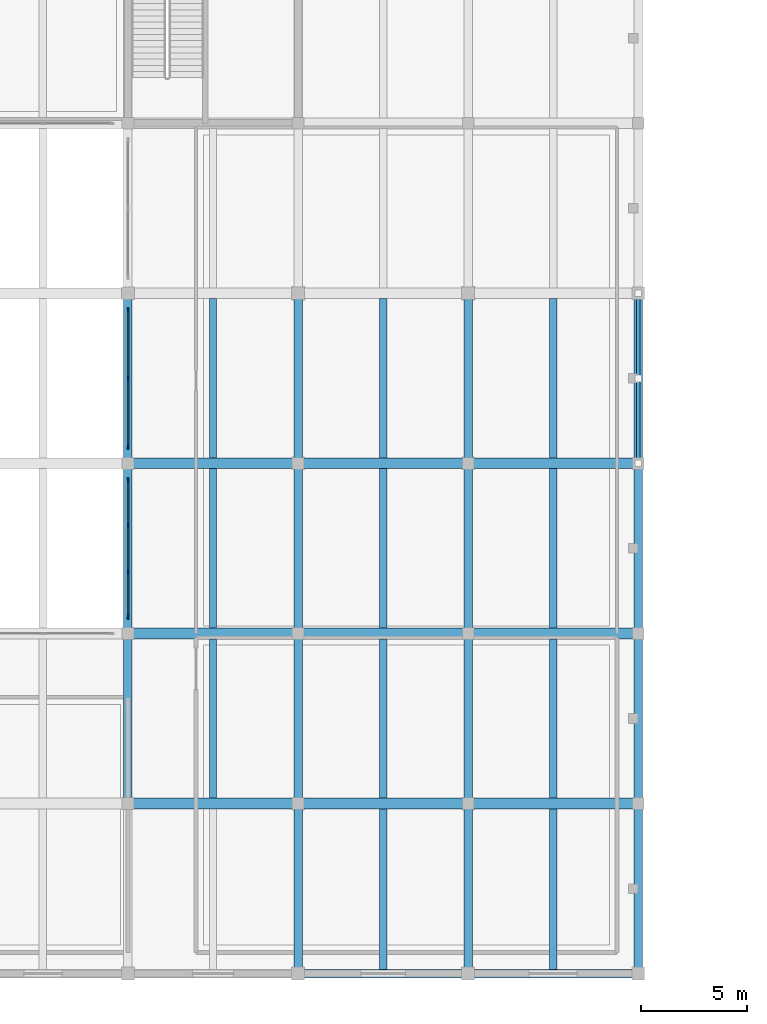
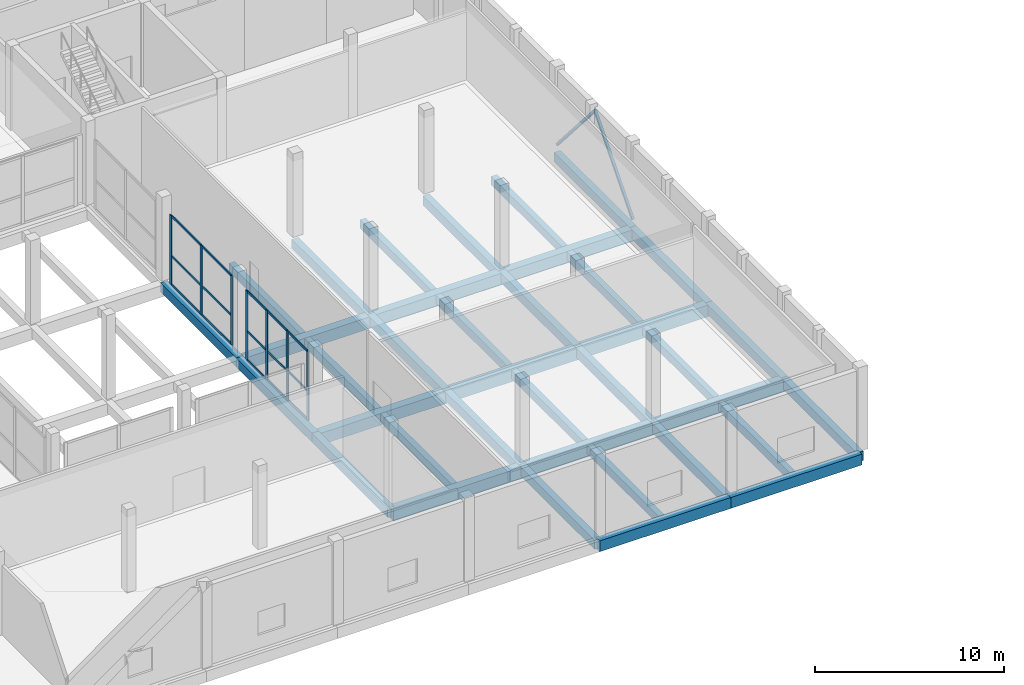
# One storey, part 5 of 41: 37 beams, 24 members, 2 elements without a shape of their own.
"""IFC4 building model written with IfcOpenShell, lengths in metres."""

from ifc_helpers import new_model, si_unit, direction, frame, origin, origin_2d, place, context, subcontext, project, spatial, rectangle, hollow_rectangle, extrude, material, material_profile, profile_set, type_object, element, aggregate, save


model = new_model("IFC4")

# Units and contexts
model_context = context("Model", 3, precision=1e-05, world=origin(), true_north=direction((0.0, 1.0)))
body_context = subcontext(model_context, "Body", "Model", "MODEL_VIEW")
ifc_project = project(units=[si_unit("LENGTHUNIT", "METRE"), si_unit("AREAUNIT", "SQUARE_METRE"), si_unit("VOLUMEUNIT", "CUBIC_METRE"), si_unit("PLANEANGLEUNIT", "RADIAN"), si_unit("MASSUNIT", "GRAM", prefix="KILO")], contexts=[model_context])

# Site, building, storey
site_placement = place(None, origin())
site = spatial("IfcSite", under=ifc_project, at=site_placement, CompositionType="ELEMENT")
building_placement = place(site_placement, origin())
building = spatial("IfcBuilding", under=site, at=building_placement, Name="Vharandega Faculty of Natural Sciences", CompositionType="ELEMENT")
storey_placement = place(building_placement, origin())
storey = spatial("IfcBuildingStorey", under=building, at=storey_placement, Name="L00", CompositionType="ELEMENT", Elevation=0.0)

# Curtain wall, members
ifc_material_1 = material(Name="Aluminium and solar-control glass curtain wall", Category="aluminium")
curtain_wall_type_1 = type_object("IfcCurtainWallType", Name="Unitised Curtain Wall System CW-05", PredefinedType="NOTDEFINED", material=ifc_material_1)
curtain_wall_1_placement = place(storey_placement, origin())
curtain_wall_1 = element("IfcCurtainWall", 1, at=curtain_wall_1_placement, inside=storey, type_object=curtain_wall_type_1, Name="Curtain Wall CW-L00-116", PredefinedType="NOTDEFINED")
ifc_material_2 = material(Name="Thermally broken aluminium 6063-T6", Category="aluminium")
ifc_material_profile_1 = material_profile(ifc_material_2, rectangle(XDim=0.070068359375, YDim=0.199951171875, at=origin_2d()), Name="ALU 70x200")
ifc_profile_set_1 = profile_set([ifc_material_profile_1], Name="Thermally broken aluminium 6063-T6")
member_type_1 = type_object("IfcMemberType", Name="CW Mullion 70x200", PredefinedType="MULLION", material=ifc_profile_set_1)
member_1_placement = place(storey_placement, frame((32.0, 16.77490234375, 0.0), z_axis=(0.0, 0.0, 1.0), x_axis=(-1.0, 0.0, 0.0)))
member_1 = element("IfcMember", 2, at=member_1_placement, type_object=member_type_1, Name="CW-05 mullion 1", PredefinedType="MULLION", context=body_context, shape_type="SweptSolid", body=[
    extrude(rectangle(XDim=0.070068359375, YDim=0.199951171875, at=origin_2d()), origin(), (0.0, 0.0, 1.0), 4.469970703125),
])
member_2_placement = place(storey_placement, frame((32.0, 18.913330078125, 0.0), z_axis=(0.0, 0.0, 1.0), x_axis=(-1.0, 0.0, 0.0)))
member_2 = element("IfcMember", 3, at=member_2_placement, type_object=member_type_1, Name="CW-05 mullion 2", PredefinedType="MULLION", context=body_context, shape_type="SweptSolid", body=[
    extrude(rectangle(XDim=0.070068359375, YDim=0.199951171875, at=origin_2d()), origin(), (0.0, 0.0, 1.0), 4.469970703125),
])
member_3_placement = place(storey_placement, frame((32.0, 21.086669921875, 0.0), z_axis=(0.0, 0.0, 1.0), x_axis=(-1.0, 0.0, 0.0)))
member_3 = element("IfcMember", 4, at=member_3_placement, type_object=member_type_1, Name="CW-05 mullion 3", PredefinedType="MULLION", context=body_context, shape_type="SweptSolid", body=[
    extrude(rectangle(XDim=0.070068359375, YDim=0.199951171875, at=origin_2d()), origin(), (0.0, 0.0, 1.0), 4.469970703125),
])
member_4_placement = place(storey_placement, frame((32.0, 23.22509765625, 0.0), z_axis=(0.0, 0.0, 1.0), x_axis=(-1.0, 0.0, 0.0)))
member_4 = element("IfcMember", 5, at=member_4_placement, type_object=member_type_1, Name="CW-05 mullion 4", PredefinedType="MULLION", context=body_context, shape_type="SweptSolid", body=[
    extrude(rectangle(XDim=0.070068359375, YDim=0.199951171875, at=origin_2d()), origin(), (0.0, 0.0, 1.0), 4.469970703125),
])

ifc_material_3 = material(Name="Aluminium and solar-control glass curtain wall", Category="aluminium")
curtain_wall_type_2 = type_object("IfcCurtainWallType", Name="Unitised Curtain Wall System CW-07", PredefinedType="NOTDEFINED", material=ifc_material_3)
curtain_wall_2_placement = place(storey_placement, origin())
curtain_wall_2 = element("IfcCurtainWall", 6, at=curtain_wall_2_placement, inside=storey, type_object=curtain_wall_type_2, Name="Curtain Wall CW-L00-118", PredefinedType="NOTDEFINED")
member_5_placement = place(storey_placement, frame((32.0, 24.77490234375, 0.0), z_axis=(0.0, 0.0, 1.0), x_axis=(-1.0, 0.0, 0.0)))
member_5 = element("IfcMember", 7, at=member_5_placement, type_object=member_type_1, Name="CW-07 mullion 1", PredefinedType="MULLION", context=body_context, shape_type="SweptSolid", body=[
    extrude(rectangle(XDim=0.070068359375, YDim=0.199951171875, at=origin_2d()), origin(), (0.0, 0.0, 1.0), 4.469970703125),
])
member_6_placement = place(storey_placement, frame((32.0, 28.0, 0.0), z_axis=(0.0, 0.0, 1.0), x_axis=(-1.0, 0.0, 0.0)))
member_6 = element("IfcMember", 8, at=member_6_placement, type_object=member_type_1, Name="CW-07 mullion 2", PredefinedType="MULLION", context=body_context, shape_type="SweptSolid", body=[
    extrude(rectangle(XDim=0.070068359375, YDim=0.199951171875, at=origin_2d()), origin(), (0.0, 0.0, 1.0), 4.469970703125),
])
member_7_placement = place(storey_placement, frame((32.0, 31.22509765625, 0.0), z_axis=(0.0, 0.0, 1.0), x_axis=(-1.0, 0.0, 0.0)))
member_7 = element("IfcMember", 9, at=member_7_placement, type_object=member_type_1, Name="CW-07 mullion 3", PredefinedType="MULLION", context=body_context, shape_type="SweptSolid", body=[
    extrude(rectangle(XDim=0.070068359375, YDim=0.199951171875, at=origin_2d()), origin(), (0.0, 0.0, 1.0), 4.469970703125),
])

# Member
ifc_material_4 = material(Name="Thermally broken aluminium 6063-T6", Category="aluminium")
ifc_material_profile_2 = material_profile(ifc_material_4, rectangle(XDim=0.06494140625, YDim=0.135009765625, at=origin_2d()), Name="ALU 65x135")
ifc_profile_set_2 = profile_set([ifc_material_profile_2], Name="Thermally broken aluminium 6063-T6")
member_type_2 = type_object("IfcMemberType", Name="CW Transom 65x135", PredefinedType="USERDEFINED", material=ifc_profile_set_2)
member_8_placement = place(storey_placement, frame((32.0, 16.81005859375, 0.032470703125), z_axis=(0.0, 1.0, 0.0), x_axis=(-1.0, 0.0, 0.0)))
member_8 = element("IfcMember", 10, at=member_8_placement, type_object=member_type_2, Name="CW-05 transom 1.1", ObjectType="TRANSOM", PredefinedType="USERDEFINED", context=body_context, shape_type="SweptSolid", body=[
    extrude(rectangle(XDim=0.06494140625, YDim=0.135009765625, at=origin_2d()), origin(), (0.0, 0.0, 1.0), 2.068359375),
])

member_9_placement = place(storey_placement, frame((32.0, 16.81005859375, 1.87744140625), z_axis=(0.0, 1.0, 0.0), x_axis=(-1.0, 0.0, 0.0)))
member_9 = element("IfcMember", 11, at=member_9_placement, type_object=member_type_2, Name="CW-05 transom 1.2", ObjectType="TRANSOM", PredefinedType="USERDEFINED", context=body_context, shape_type="SweptSolid", body=[
    extrude(rectangle(XDim=0.06494140625, YDim=0.135009765625, at=origin_2d()), origin(), (0.0, 0.0, 1.0), 2.068359375),
])

member_10_placement = place(storey_placement, frame((32.0, 16.81005859375, 4.4375), z_axis=(0.0, 1.0, 0.0), x_axis=(-1.0, 0.0, 0.0)))
member_10 = element("IfcMember", 12, at=member_10_placement, type_object=member_type_2, Name="CW-05 transom 1.3", ObjectType="TRANSOM", PredefinedType="USERDEFINED", context=body_context, shape_type="SweptSolid", body=[
    extrude(rectangle(XDim=0.06494140625, YDim=0.135009765625, at=origin_2d()), origin(), (0.0, 0.0, 1.0), 2.068359375),
])

member_11_placement = place(storey_placement, frame((32.0, 18.9482421875, 0.032470703125), z_axis=(0.0, 1.0, 0.0), x_axis=(-1.0, 0.0, 0.0)))
member_11 = element("IfcMember", 13, at=member_11_placement, type_object=member_type_2, Name="CW-05 transom 2.1", ObjectType="TRANSOM", PredefinedType="USERDEFINED", context=body_context, shape_type="SweptSolid", body=[
    extrude(rectangle(XDim=0.06494140625, YDim=0.135009765625, at=origin_2d()), origin(), (0.0, 0.0, 1.0), 2.103515625),
])

member_12_placement = place(storey_placement, frame((32.0, 18.9482421875, 1.87744140625), z_axis=(0.0, 1.0, 0.0), x_axis=(-1.0, 0.0, 0.0)))
member_12 = element("IfcMember", 14, at=member_12_placement, type_object=member_type_2, Name="CW-05 transom 2.2", ObjectType="TRANSOM", PredefinedType="USERDEFINED", context=body_context, shape_type="SweptSolid", body=[
    extrude(rectangle(XDim=0.06494140625, YDim=0.135009765625, at=origin_2d()), origin(), (0.0, 0.0, 1.0), 2.103515625),
])

member_13_placement = place(storey_placement, frame((32.0, 18.9482421875, 4.4375), z_axis=(0.0, 1.0, 0.0), x_axis=(-1.0, 0.0, 0.0)))
member_13 = element("IfcMember", 15, at=member_13_placement, type_object=member_type_2, Name="CW-05 transom 2.3", ObjectType="TRANSOM", PredefinedType="USERDEFINED", context=body_context, shape_type="SweptSolid", body=[
    extrude(rectangle(XDim=0.06494140625, YDim=0.135009765625, at=origin_2d()), origin(), (0.0, 0.0, 1.0), 2.103515625),
])

member_14_placement = place(storey_placement, frame((32.0, 21.12158203125, 0.032470703125), z_axis=(0.0, 1.0, 0.0), x_axis=(-1.0, 0.0, 0.0)))
member_14 = element("IfcMember", 16, at=member_14_placement, type_object=member_type_2, Name="CW-05 transom 3.1", ObjectType="TRANSOM", PredefinedType="USERDEFINED", context=body_context, shape_type="SweptSolid", body=[
    extrude(rectangle(XDim=0.06494140625, YDim=0.135009765625, at=origin_2d()), origin(), (0.0, 0.0, 1.0), 2.068359375),
])

member_15_placement = place(storey_placement, frame((32.0, 21.12158203125, 1.87744140625), z_axis=(0.0, 1.0, 0.0), x_axis=(-1.0, 0.0, 0.0)))
member_15 = element("IfcMember", 17, at=member_15_placement, type_object=member_type_2, Name="CW-05 transom 3.2", ObjectType="TRANSOM", PredefinedType="USERDEFINED", context=body_context, shape_type="SweptSolid", body=[
    extrude(rectangle(XDim=0.06494140625, YDim=0.135009765625, at=origin_2d()), origin(), (0.0, 0.0, 1.0), 2.068359375),
])

member_16_placement = place(storey_placement, frame((32.0, 21.12158203125, 4.4375), z_axis=(0.0, 1.0, 0.0), x_axis=(-1.0, 0.0, 0.0)))
member_16 = element("IfcMember", 18, at=member_16_placement, type_object=member_type_2, Name="CW-05 transom 3.3", ObjectType="TRANSOM", PredefinedType="USERDEFINED", context=body_context, shape_type="SweptSolid", body=[
    extrude(rectangle(XDim=0.06494140625, YDim=0.135009765625, at=origin_2d()), origin(), (0.0, 0.0, 1.0), 2.068359375),
])

aggregate(curtain_wall_1, [member_1, member_2, member_3, member_4, member_8, member_9, member_10, member_11, member_12, member_13, member_14, member_15, member_16])

member_17_placement = place(storey_placement, frame((32.0, 24.81005859375, 0.032470703125), z_axis=(0.0, 1.0, 0.0), x_axis=(-1.0, 0.0, 0.0)))
member_17 = element("IfcMember", 19, at=member_17_placement, type_object=member_type_2, Name="CW-07 transom 1.1", ObjectType="TRANSOM", PredefinedType="USERDEFINED", context=body_context, shape_type="SweptSolid", body=[
    extrude(rectangle(XDim=0.06494140625, YDim=0.135009765625, at=origin_2d()), origin(), (0.0, 0.0, 1.0), 3.155029296875),
])

member_18_placement = place(storey_placement, frame((32.0, 24.81005859375, 1.87744140625), z_axis=(0.0, 1.0, 0.0), x_axis=(-1.0, 0.0, 0.0)))
member_18 = element("IfcMember", 20, at=member_18_placement, type_object=member_type_2, Name="CW-07 transom 1.2", ObjectType="TRANSOM", PredefinedType="USERDEFINED", context=body_context, shape_type="SweptSolid", body=[
    extrude(rectangle(XDim=0.06494140625, YDim=0.135009765625, at=origin_2d()), origin(), (0.0, 0.0, 1.0), 3.155029296875),
])

member_19_placement = place(storey_placement, frame((32.0, 24.81005859375, 4.4375), z_axis=(0.0, 1.0, 0.0), x_axis=(-1.0, 0.0, 0.0)))
member_19 = element("IfcMember", 21, at=member_19_placement, type_object=member_type_2, Name="CW-07 transom 1.3", ObjectType="TRANSOM", PredefinedType="USERDEFINED", context=body_context, shape_type="SweptSolid", body=[
    extrude(rectangle(XDim=0.06494140625, YDim=0.135009765625, at=origin_2d()), origin(), (0.0, 0.0, 1.0), 3.155029296875),
])

member_20_placement = place(storey_placement, frame((32.0, 28.034912109375, 0.032470703125), z_axis=(0.0, 1.0, 0.0), x_axis=(-1.0, 0.0, 0.0)))
member_20 = element("IfcMember", 22, at=member_20_placement, type_object=member_type_2, Name="CW-07 transom 2.1", ObjectType="TRANSOM", PredefinedType="USERDEFINED", context=body_context, shape_type="SweptSolid", body=[
    extrude(rectangle(XDim=0.06494140625, YDim=0.135009765625, at=origin_2d()), origin(), (0.0, 0.0, 1.0), 3.155029296875),
])

member_21_placement = place(storey_placement, frame((32.0, 28.034912109375, 1.87744140625), z_axis=(0.0, 1.0, 0.0), x_axis=(-1.0, 0.0, 0.0)))
member_21 = element("IfcMember", 23, at=member_21_placement, type_object=member_type_2, Name="CW-07 transom 2.2", ObjectType="TRANSOM", PredefinedType="USERDEFINED", context=body_context, shape_type="SweptSolid", body=[
    extrude(rectangle(XDim=0.06494140625, YDim=0.135009765625, at=origin_2d()), origin(), (0.0, 0.0, 1.0), 3.155029296875),
])

member_22_placement = place(storey_placement, frame((32.0, 28.034912109375, 4.4375), z_axis=(0.0, 1.0, 0.0), x_axis=(-1.0, 0.0, 0.0)))
member_22 = element("IfcMember", 24, at=member_22_placement, type_object=member_type_2, Name="CW-07 transom 2.3", ObjectType="TRANSOM", PredefinedType="USERDEFINED", context=body_context, shape_type="SweptSolid", body=[
    extrude(rectangle(XDim=0.06494140625, YDim=0.135009765625, at=origin_2d()), origin(), (0.0, 0.0, 1.0), 3.155029296875),
])

aggregate(curtain_wall_2, [member_5, member_6, member_7, member_17, member_18, member_19, member_20, member_21, member_22])

# Beams
ifc_material_5 = material(Name="Concrete C40/50", Category="concrete")
ifc_material_profile_3 = material_profile(ifc_material_5, rectangle(XDim=0.5, YDim=0.75, at=origin_2d()), Name="RC 500x750")
ifc_profile_set_3 = profile_set([ifc_material_profile_3], Name="Concrete C40/50")
beam_type_1 = type_object("IfcBeamType", Name="Podium Primary Beam 500x750", PredefinedType="BEAM", material=ifc_profile_set_3)
for number, where, z_axis, x_axis, name in (
    (25, (32.0, 8.0, -0.675048828125), (1.0, 0.0, 0.0), (0.0, 1.0, 0.0), "Beam L00 B/5-6"),
    (26, (40.0, 8.0, -0.675048828125), (1.0, 0.0, 0.0), (0.0, 1.0, 0.0), "Beam L00 B/6-7"),
    (27, (48.0, 8.0, -0.675048828125), (1.0, 0.0, 0.0), (0.0, 1.0, 0.0), "Beam L00 B/7-8"),
    (28, (32.0, 16.0, -0.675048828125), (1.0, 0.0, 0.0), (0.0, 1.0, 0.0), "Beam L00 C/5-6"),
    (29, (40.0, 16.0, -0.675048828125), (1.0, 0.0, 0.0), (0.0, 1.0, 0.0), "Beam L00 C/6-7"),
    (30, (48.0, 16.0, -0.675048828125), (1.0, 0.0, 0.0), (0.0, 1.0, 0.0), "Beam L00 C/7-8"),
    (31, (32.0, 24.0, -0.675048828125), (1.0, 0.0, 0.0), (0.0, 1.0, 0.0), "Beam L00 D/5-6"),
    (32, (40.0, 24.0, -0.675048828125), (1.0, 0.0, 0.0), (0.0, 1.0, 0.0), "Beam L00 D/6-7"),
    (33, (48.0, 24.0, -0.675048828125), (1.0, 0.0, 0.0), (0.0, 1.0, 0.0), "Beam L00 D/7-8"),
):
    element("IfcBeam", number, at=place(storey_placement, frame(where, z_axis=z_axis, x_axis=x_axis)), inside=storey, type_object=beam_type_1, Name=name, PredefinedType="BEAM", context=body_context, shape_type="SweptSolid", body=[
        extrude(rectangle(XDim=0.5, YDim=0.75, at=origin_2d()), origin(), (0.0, 0.0, 1.0), 8.0),
    ])
ifc_material_6 = material(Name="Concrete C40/50", Category="concrete")
ifc_material_profile_4 = material_profile(ifc_material_6, rectangle(XDim=0.39990234375, YDim=0.60009765625, at=origin_2d()), Name="RC 400x600")
ifc_profile_set_4 = profile_set([ifc_material_profile_4], Name="Concrete C40/50")
beam_type_2 = type_object("IfcBeamType", Name="Podium Rib Beam 400x600", PredefinedType="BEAM", material=ifc_profile_set_4)
for number, where, z_axis, x_axis, name in (
    (34, (32.0, 8.0, -0.60009765625), (0.0, 1.0, 0.0), (-1.0, 0.0, 0.0), "Beam L00 5/B-C"),
    (35, (32.0, 16.0, -0.60009765625), (0.0, 1.0, 0.0), (-1.0, 0.0, 0.0), "Beam L00 5/C-D"),
    (36, (32.0, 24.0, -0.60009765625), (0.0, 1.0, 0.0), (-1.0, 0.0, 0.0), "Beam L00 5/D-E"),
    (37, (40.0, 0.0, -0.60009765625), (0.0, 1.0, 0.0), (-1.0, 0.0, 0.0), "Beam L00 6/A-B"),
    (38, (40.0, 8.0, -0.60009765625), (0.0, 1.0, 0.0), (-1.0, 0.0, 0.0), "Beam L00 6/B-C"),
    (39, (40.0, 16.0, -0.60009765625), (0.0, 1.0, 0.0), (-1.0, 0.0, 0.0), "Beam L00 6/C-D"),
    (40, (40.0, 24.0, -0.60009765625), (0.0, 1.0, 0.0), (-1.0, 0.0, 0.0), "Beam L00 6/D-E"),
    (41, (48.0, 0.0, -0.60009765625), (0.0, 1.0, 0.0), (-1.0, 0.0, 0.0), "Beam L00 7/A-B"),
    (42, (48.0, 8.0, -0.60009765625), (0.0, 1.0, 0.0), (-1.0, 0.0, 0.0), "Beam L00 7/B-C"),
    (43, (48.0, 16.0, -0.60009765625), (0.0, 1.0, 0.0), (-1.0, 0.0, 0.0), "Beam L00 7/C-D"),
    (44, (48.0, 24.0, -0.60009765625), (0.0, 1.0, 0.0), (-1.0, 0.0, 0.0), "Beam L00 7/D-E"),
    (45, (56.0, 0.0, -0.60009765625), (0.0, 1.0, 0.0), (-1.0, 0.0, 0.0), "Beam L00 8/A-B"),
    (46, (56.0, 8.0, -0.60009765625), (0.0, 1.0, 0.0), (-1.0, 0.0, 0.0), "Beam L00 8/B-C"),
    (47, (56.0, 16.0, -0.60009765625), (0.0, 1.0, 0.0), (-1.0, 0.0, 0.0), "Beam L00 8/C-D"),
    (48, (56.0, 24.0, -0.60009765625), (0.0, 1.0, 0.0), (-1.0, 0.0, 0.0), "Beam L00 8/D-E"),
):
    element("IfcBeam", number, at=place(storey_placement, frame(where, z_axis=z_axis, x_axis=x_axis)), inside=storey, type_object=beam_type_2, Name=name, PredefinedType="BEAM", context=body_context, shape_type="SweptSolid", body=[
        extrude(rectangle(XDim=0.39990234375, YDim=0.60009765625, at=origin_2d()), origin(), (0.0, 0.0, 1.0), 8.0),
    ])
ifc_material_7 = material(Name="Concrete C40/50", Category="concrete")
ifc_material_profile_5 = material_profile(ifc_material_7, rectangle(XDim=0.35009765625, YDim=0.550048828125, at=origin_2d()), Name="RC 350x550")
ifc_profile_set_5 = profile_set([ifc_material_profile_5], Name="Concrete C40/50")
beam_type_3 = type_object("IfcBeamType", Name="Podium Secondary Beam 350x550", PredefinedType="JOIST", material=ifc_profile_set_5)
for number, where, z_axis, x_axis, name in (
    (49, (36.0, 8.25, -0.574951171875), (0.0, 1.0, 0.0), (-1.0, 0.0, 0.0), "Secondary Joist L00 5-6/B-C"),
    (50, (36.0, 16.25, -0.574951171875), (0.0, 1.0, 0.0), (-1.0, 0.0, 0.0), "Secondary Joist L00 5-6/C-D"),
    (51, (36.0, 24.25, -0.574951171875), (0.0, 1.0, 0.0), (-1.0, 0.0, 0.0), "Secondary Joist L00 5-6/D-E"),
):
    element("IfcBeam", number, at=place(storey_placement, frame(where, z_axis=z_axis, x_axis=x_axis)), inside=storey, type_object=beam_type_3, Name=name, PredefinedType="JOIST", context=body_context, shape_type="SweptSolid", body=[
        extrude(rectangle(XDim=0.35009765625, YDim=0.550048828125, at=origin_2d()), origin(), (0.0, 0.0, 1.0), 7.5),
    ])
beam_1_placement = place(storey_placement, frame((44.0, 0.199951171875, -0.574951171875), z_axis=(0.0, 1.0, 0.0), x_axis=(-1.0, 0.0, 0.0)))
element("IfcBeam", 52, at=beam_1_placement, inside=storey, type_object=beam_type_3, Name="Secondary Joist L00 6-7/A-B", PredefinedType="JOIST", context=body_context, shape_type="SweptSolid", body=[
    extrude(rectangle(XDim=0.35009765625, YDim=0.550048828125, at=origin_2d()), origin(), (0.0, 0.0, 1.0), 7.550048828125),
])
for number, where, z_axis, x_axis, name in (
    (53, (44.0, 8.25, -0.574951171875), (0.0, 1.0, 0.0), (-1.0, 0.0, 0.0), "Secondary Joist L00 6-7/B-C"),
    (54, (44.0, 16.25, -0.574951171875), (0.0, 1.0, 0.0), (-1.0, 0.0, 0.0), "Secondary Joist L00 6-7/C-D"),
    (55, (44.0, 24.25, -0.574951171875), (0.0, 1.0, 0.0), (-1.0, 0.0, 0.0), "Secondary Joist L00 6-7/D-E"),
):
    element("IfcBeam", number, at=place(storey_placement, frame(where, z_axis=z_axis, x_axis=x_axis)), inside=storey, type_object=beam_type_3, Name=name, PredefinedType="JOIST", context=body_context, shape_type="SweptSolid", body=[
        extrude(rectangle(XDim=0.35009765625, YDim=0.550048828125, at=origin_2d()), origin(), (0.0, 0.0, 1.0), 7.5),
    ])
beam_2_placement = place(storey_placement, frame((52.0, 0.199951171875, -0.574951171875), z_axis=(0.0, 1.0, 0.0), x_axis=(-1.0, 0.0, 0.0)))
element("IfcBeam", 56, at=beam_2_placement, inside=storey, type_object=beam_type_3, Name="Secondary Joist L00 7-8/A-B", PredefinedType="JOIST", context=body_context, shape_type="SweptSolid", body=[
    extrude(rectangle(XDim=0.35009765625, YDim=0.550048828125, at=origin_2d()), origin(), (0.0, 0.0, 1.0), 7.550048828125),
])
for number, where, z_axis, x_axis, name in (
    (57, (52.0, 8.25, -0.574951171875), (0.0, 1.0, 0.0), (-1.0, 0.0, 0.0), "Secondary Joist L00 7-8/B-C"),
    (58, (52.0, 16.25, -0.574951171875), (0.0, 1.0, 0.0), (-1.0, 0.0, 0.0), "Secondary Joist L00 7-8/C-D"),
    (59, (52.0, 24.25, -0.574951171875), (0.0, 1.0, 0.0), (-1.0, 0.0, 0.0), "Secondary Joist L00 7-8/D-E"),
):
    element("IfcBeam", number, at=place(storey_placement, frame(where, z_axis=z_axis, x_axis=x_axis)), inside=storey, type_object=beam_type_3, Name=name, PredefinedType="JOIST", context=body_context, shape_type="SweptSolid", body=[
        extrude(rectangle(XDim=0.35009765625, YDim=0.550048828125, at=origin_2d()), origin(), (0.0, 0.0, 1.0), 7.5),
    ])
ifc_material_8 = material(Name="Concrete C40/50", Category="concrete")
ifc_material_profile_6 = material_profile(ifc_material_8, rectangle(XDim=0.39990234375, YDim=0.699951171875, at=origin_2d()), Name="RC 400x700")
ifc_profile_set_6 = profile_set([ifc_material_profile_6], Name="Concrete C40/50")
beam_type_4 = type_object("IfcBeamType", Name="Podium Spandrel Beam 400x700", PredefinedType="SPANDREL", material=ifc_profile_set_6)
for number, where, z_axis, x_axis, name in (
    (60, (40.0, 0.0, -0.64990234375), (1.0, 0.0, 0.0), (0.0, 1.0, 0.0), "Beam L00 A/6-7"),
    (61, (48.0, 0.0, -0.64990234375), (1.0, 0.0, 0.0), (0.0, 1.0, 0.0), "Beam L00 A/7-8"),
):
    element("IfcBeam", number, at=place(storey_placement, frame(where, z_axis=z_axis, x_axis=x_axis)), inside=storey, type_object=beam_type_4, Name=name, PredefinedType="SPANDREL", context=body_context, shape_type="SweptSolid", body=[
        extrude(rectangle(XDim=0.39990234375, YDim=0.699951171875, at=origin_2d()), origin(), (0.0, 0.0, 1.0), 8.0),
    ])

# Members
ifc_material_9 = material(Name="Steel S355", Category="steel")
ifc_material_profile_7 = material_profile(ifc_material_9, hollow_rectangle(XDim=0.14990234375, YDim=0.14990234375, WallThickness=0.010009765625, at=origin_2d()), Name="SHS 150x150x10")
ifc_profile_set_7 = profile_set([ifc_material_profile_7], Name="Steel S355")
member_type_3 = type_object("IfcMemberType", Name="Timber Frame Diagonal Brace SHS 150", PredefinedType="BRACE", material=ifc_profile_set_7)
for number, where, z_axis, x_axis, name in (
    (62, (56.0, 24.0, 0.14990234375), (0.0, 0.654547173797, 0.756021161922), (-1.0, 0.0, 0.0), "Chevron Brace E8 L00-1"),
    (63, (56.0, 32.0, 0.14990234375), (0.0, -0.654547173797, 0.756021161922), (1.0, 0.0, 0.0), "Chevron Brace E8 L00-2"),
):
    element("IfcMember", number, at=place(storey_placement, frame(where, z_axis=z_axis, x_axis=x_axis)), inside=storey, type_object=member_type_3, Name=name, PredefinedType="BRACE", context=body_context, shape_type="SweptSolid", body=[
        extrude(hollow_rectangle(XDim=0.14990234375, YDim=0.14990234375, WallThickness=0.010009765625, at=origin_2d()), origin(), (0.0, 0.0, 1.0), 6.111083984375),
    ])

save(model, "model.ifc")
